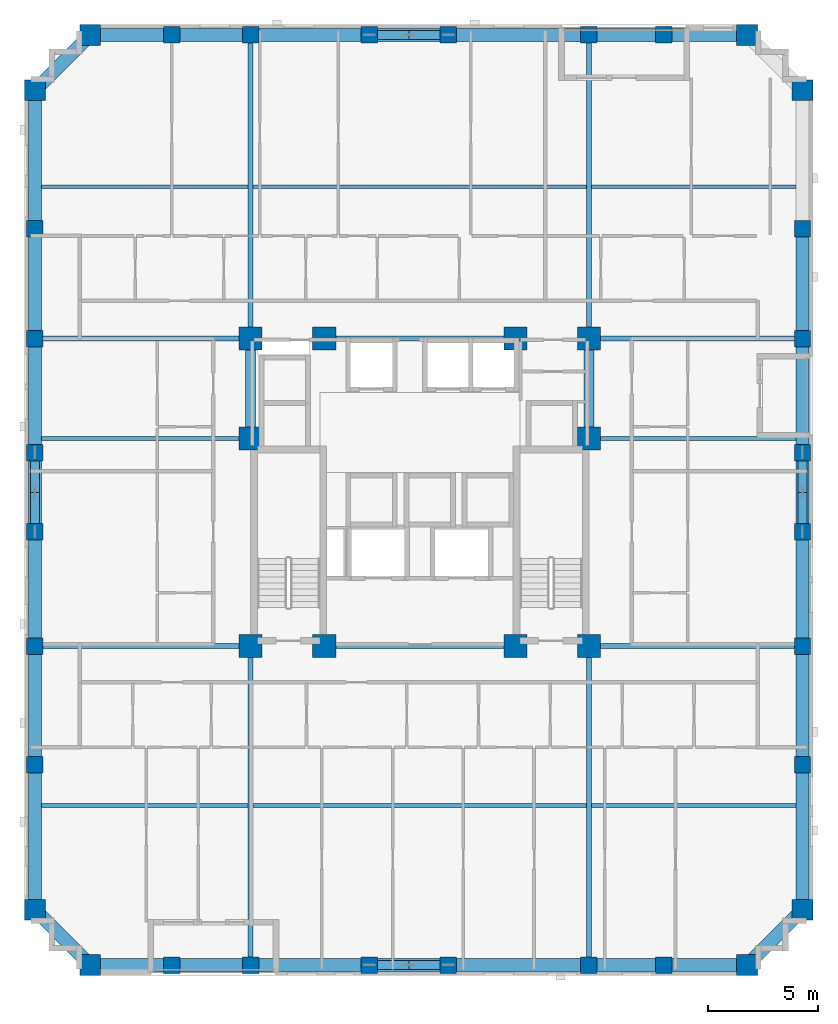
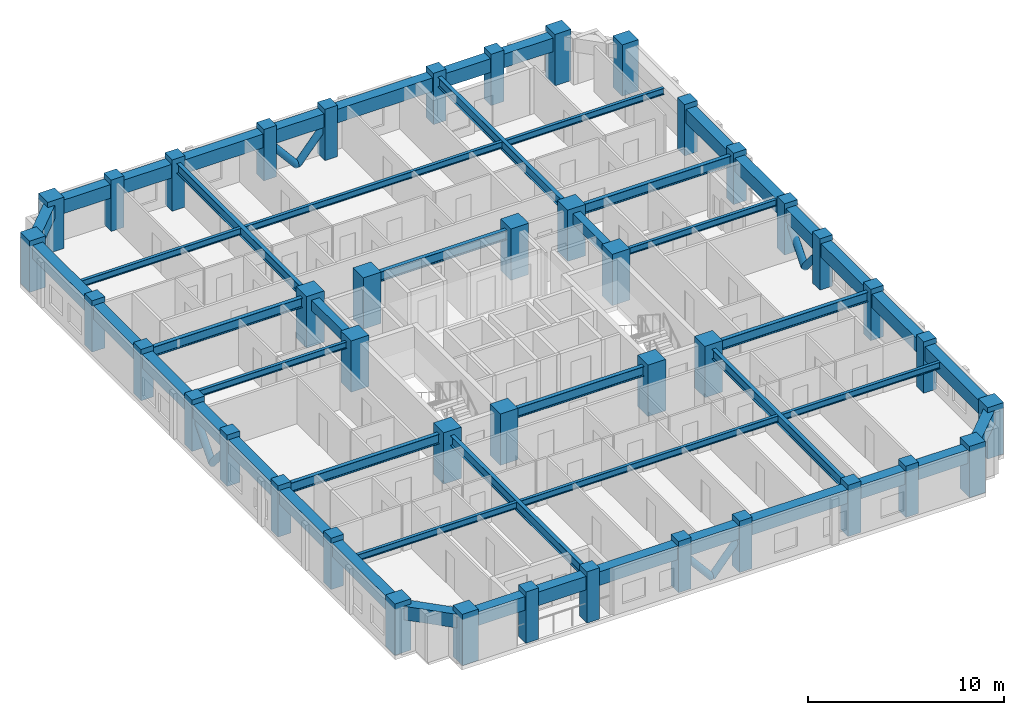
# One storey, part 1 of 12: 50 beams, 42 columns, 8 members.
"""IFC4 building model written with IfcOpenShell, lengths in metres."""

from ifc_helpers import new_model, si_unit, derived_unit, direction, frame, origin, origin_2d, place, context, subcontext, project, spatial, rectangle, hollow_circle, i_section, extrude, material, material_profile, profile_set, type_object, element, save


model = new_model("IFC4")

# Units and contexts
model_context = context("Model", 3, precision=1e-05, world=origin(), true_north=direction((0.0, 1.0)))
body_context = subcontext(model_context, "Body", "Model", "MODEL_VIEW")
ifc_project = project(units=[si_unit("LENGTHUNIT", "METRE"), si_unit("AREAUNIT", "SQUARE_METRE"), si_unit("VOLUMEUNIT", "CUBIC_METRE"), si_unit("PLANEANGLEUNIT", "RADIAN"), si_unit("MASSUNIT", "GRAM", prefix="KILO"), derived_unit("THERMALTRANSMITTANCEUNIT", [(si_unit("MASSUNIT", "GRAM", prefix="KILO"), 1), (si_unit("TIMEUNIT", "SECOND"), -3), (si_unit("THERMODYNAMICTEMPERATUREUNIT", "KELVIN"), -1)])], contexts=[model_context])

# Site, building, storey
site_placement = place(None, origin())
site = spatial("IfcSite", under=ifc_project, at=site_placement, CompositionType="ELEMENT")
building_placement = place(site_placement, origin())
building = spatial("IfcBuilding", under=site, at=building_placement, Name="Korrvale Station Residences", CompositionType="ELEMENT")
storey_placement = place(building_placement, frame((0.0, 0.0, 116.699951171875)))
storey = spatial("IfcBuildingStorey", under=building, at=storey_placement, Name="L33", CompositionType="ELEMENT", Elevation=116.699951171875)

# Columns
ifc_material_1 = material(Name="Concrete C60/75", Category="concrete")
ifc_material_profile_1 = material_profile(ifc_material_1, rectangle(XDim=1.050048828125, YDim=1.050048828125, at=origin_2d()), Name="RC1050x1050")
ifc_profile_set_1 = profile_set([ifc_material_profile_1], Name="Concrete C60/75")
column_type_1 = type_object("IfcColumnType", Name="COL-C-RC1050x1050-C6075", PredefinedType="COLUMN", material=ifc_profile_set_1)
for number, where, z_axis, x_axis, name in (
    (1, (17.800048828125, 15.0, 0.0), (0.0, 0.0, 1.0), (1.0, 0.0, 0.0), "L33 Core Column 01"),
    (2, (21.14990234375, 15.0, 0.0), (0.0, 0.0, 1.0), (1.0, 0.0, 0.0), "L33 Core Column 02"),
    (3, (29.85009765625, 15.0, 0.0), (0.0, 0.0, 1.0), (1.0, 0.0, 0.0), "L33 Core Column 03"),
    (4, (33.199951171875, 15.0, 0.0), (0.0, 0.0, 1.0), (1.0, 0.0, 0.0), "L33 Core Column 04"),
    (5, (17.800048828125, 29.0, 0.0), (0.0, 0.0, 1.0), (1.0, 0.0, 0.0), "L33 Core Column 05"),
    (6, (21.14990234375, 29.0, 0.0), (0.0, 0.0, 1.0), (1.0, 0.0, 0.0), "L33 Core Column 06"),
    (7, (29.85009765625, 29.0, 0.0), (0.0, 0.0, 1.0), (1.0, 0.0, 0.0), "L33 Core Column 07"),
    (8, (33.199951171875, 29.0, 0.0), (0.0, 0.0, 1.0), (1.0, 0.0, 0.0), "L33 Core Column 08"),
    (9, (17.800048828125, 24.449951171875, 0.0), (0.0, 0.0, 1.0), (1.0, 0.0, 0.0), "L33 Core Column 09"),
    (10, (33.199951171875, 24.449951171875, 0.0), (0.0, 0.0, 1.0), (1.0, 0.0, 0.0), "L33 Core Column 10"),
):
    element("IfcColumn", number, at=place(storey_placement, frame(where, z_axis=z_axis, x_axis=x_axis)), inside=storey, type_object=column_type_1, Name=name, PredefinedType="COLUMN", context=body_context, shape_type="SweptSolid", body=[
        extrude(rectangle(XDim=1.050048828125, YDim=1.050048828125, at=origin_2d()), origin(), (0.0, 0.0, 1.0), 3.199951171875),
    ])
ifc_material_profile_2 = material_profile(ifc_material_1, rectangle(XDim=0.75, YDim=0.75, at=origin_2d()), Name="RC750x750")
ifc_profile_set_2 = profile_set([ifc_material_profile_2], Name="Concrete C60/75")
column_type_2 = type_object("IfcColumnType", Name="COL-C-RC750x750-C6075", PredefinedType="COLUMN", material=ifc_profile_set_2)
for number, where, z_axis, x_axis, name in (
    (11, (14.199951171875, 0.47998046875, 0.0), (0.0, 0.0, 1.0), (1.0, 0.0, 0.0), "L33 Bundled-Tube South Column 02"),
    (12, (17.800048828125, 0.47998046875, 0.0), (0.0, 0.0, 1.0), (1.0, 0.0, 0.0), "L33 Bundled-Tube South Column 03"),
    (13, (23.199951171875, 0.47998046875, 0.0), (0.0, 0.0, 1.0), (1.0, 0.0, 0.0), "L33 Bundled-Tube South Column 04"),
    (14, (26.800048828125, 0.47998046875, 0.0), (0.0, 0.0, 1.0), (1.0, 0.0, 0.0), "L33 Bundled-Tube South Column 05"),
    (15, (33.199951171875, 0.47998046875, 0.0), (0.0, 0.0, 1.0), (1.0, 0.0, 0.0), "L33 Bundled-Tube South Column 06"),
    (16, (36.60009765625, 0.47998046875, 0.0), (0.0, 0.0, 1.0), (1.0, 0.0, 0.0), "L33 Bundled-Tube South Column 07"),
    (17, (14.199951171875, 42.820068359375, 0.0), (0.0, 0.0, 1.0), (1.0, 0.0, 0.0), "L33 Bundled-Tube North Column 10"),
    (18, (17.800048828125, 42.820068359375, 0.0), (0.0, 0.0, 1.0), (1.0, 0.0, 0.0), "L33 Bundled-Tube North Column 11"),
    (19, (23.199951171875, 42.820068359375, 0.0), (0.0, 0.0, 1.0), (1.0, 0.0, 0.0), "L33 Bundled-Tube North Column 12"),
    (20, (26.800048828125, 42.820068359375, 0.0), (0.0, 0.0, 1.0), (1.0, 0.0, 0.0), "L33 Bundled-Tube North Column 13"),
    (21, (33.199951171875, 42.820068359375, 0.0), (0.0, 0.0, 1.0), (1.0, 0.0, 0.0), "L33 Bundled-Tube North Column 14"),
    (22, (36.60009765625, 42.820068359375, 0.0), (0.0, 0.0, 1.0), (1.0, 0.0, 0.0), "L33 Bundled-Tube North Column 15"),
    (23, (7.97998046875, 9.60009765625, 0.0), (0.0, 0.0, 1.0), (1.0, 0.0, 0.0), "L33 Bundled-Tube West Column 18"),
    (24, (7.97998046875, 15.0, 0.0), (0.0, 0.0, 1.0), (1.0, 0.0, 0.0), "L33 Bundled-Tube West Column 19"),
    (25, (7.97998046875, 20.199951171875, 0.0), (0.0, 0.0, 1.0), (1.0, 0.0, 0.0), "L33 Bundled-Tube West Column 20"),
    (26, (7.97998046875, 23.800048828125, 0.0), (0.0, 0.0, 1.0), (1.0, 0.0, 0.0), "L33 Bundled-Tube West Column 21"),
    (27, (7.97998046875, 29.0, 0.0), (0.0, 0.0, 1.0), (1.0, 0.0, 0.0), "L33 Bundled-Tube West Column 22"),
    (28, (7.97998046875, 34.0, 0.0), (0.0, 0.0, 1.0), (1.0, 0.0, 0.0), "L33 Bundled-Tube West Column 23"),
    (29, (42.919921875, 9.60009765625, 0.0), (0.0, 0.0, 1.0), (1.0, 0.0, 0.0), "L33 Bundled-Tube East Column 26"),
    (30, (42.919921875, 15.0, 0.0), (0.0, 0.0, 1.0), (1.0, 0.0, 0.0), "L33 Bundled-Tube East Column 27"),
    (31, (42.919921875, 20.199951171875, 0.0), (0.0, 0.0, 1.0), (1.0, 0.0, 0.0), "L33 Bundled-Tube East Column 28"),
    (32, (42.919921875, 23.800048828125, 0.0), (0.0, 0.0, 1.0), (1.0, 0.0, 0.0), "L33 Bundled-Tube East Column 29"),
    (33, (42.919921875, 29.0, 0.0), (0.0, 0.0, 1.0), (1.0, 0.0, 0.0), "L33 Bundled-Tube East Column 30"),
    (34, (42.919921875, 34.0, 0.0), (0.0, 0.0, 1.0), (1.0, 0.0, 0.0), "L33 Bundled-Tube East Column 31"),
):
    element("IfcColumn", number, at=place(storey_placement, frame(where, z_axis=z_axis, x_axis=x_axis)), inside=storey, type_object=column_type_2, Name=name, PredefinedType="COLUMN", context=body_context, shape_type="SweptSolid", body=[
        extrude(rectangle(XDim=0.75, YDim=0.75, at=origin_2d()), origin(), (0.0, 0.0, 1.0), 3.199951171875),
    ])
ifc_material_profile_3 = material_profile(ifc_material_1, rectangle(XDim=0.949951171875, YDim=0.949951171875, at=origin_2d()), Name="RC950x950")
ifc_profile_set_3 = profile_set([ifc_material_profile_3], Name="Concrete C60/75")
column_type_3 = type_object("IfcColumnType", Name="COL-C-RC950x950-C6075", PredefinedType="COLUMN", material=ifc_profile_set_3)
for number, where, z_axis, x_axis, name in (
    (35, (10.5, 0.47998046875, 0.0), (0.0, 0.0, 1.0), (1.0, 0.0, 0.0), "L33 Bundled-Tube South Column 01"),
    (36, (40.39990234375, 0.47998046875, 0.0), (0.0, 0.0, 1.0), (1.0, 0.0, 0.0), "L33 Bundled-Tube South Column 08"),
    (37, (10.5, 42.820068359375, 0.0), (0.0, 0.0, 1.0), (1.0, 0.0, 0.0), "L33 Bundled-Tube North Column 09"),
    (38, (40.39990234375, 42.820068359375, 0.0), (0.0, 0.0, 1.0), (1.0, 0.0, 0.0), "L33 Bundled-Tube North Column 16"),
    (39, (7.97998046875, 3.0, 0.0), (0.0, 0.0, 1.0), (1.0, 0.0, 0.0), "L33 Bundled-Tube West Column 17"),
    (40, (7.97998046875, 40.300048828125, 0.0), (0.0, 0.0, 1.0), (1.0, 0.0, 0.0), "L33 Bundled-Tube West Column 24"),
    (41, (42.919921875, 3.0, 0.0), (0.0, 0.0, 1.0), (1.0, 0.0, 0.0), "L33 Bundled-Tube East Column 25"),
    (42, (42.919921875, 40.300048828125, 0.0), (0.0, 0.0, 1.0), (1.0, 0.0, 0.0), "L33 Bundled-Tube East Column 32"),
):
    element("IfcColumn", number, at=place(storey_placement, frame(where, z_axis=z_axis, x_axis=x_axis)), inside=storey, type_object=column_type_3, Name=name, PredefinedType="COLUMN", context=body_context, shape_type="SweptSolid", body=[
        extrude(rectangle(XDim=0.949951171875, YDim=0.949951171875, at=origin_2d()), origin(), (0.0, 0.0, 1.0), 3.199951171875),
    ])

# Beams
ifc_material_2 = material(Name="Steel S355", Category="steel")
ifc_material_profile_4 = material_profile(ifc_material_2, i_section(OverallWidth=0.22900390625, OverallDepth=0.612060546875, WebThickness=0.011962890625, FlangeThickness=0.01953125, FilletRadius=0.01904296875, at=origin_2d()), Name="W610x125")
ifc_profile_set_4 = profile_set([ifc_material_profile_4], Name="Steel S355")
beam_type_1 = type_object("IfcBeamType", Name="BM-BM-W610x125-S355", PredefinedType="BEAM", material=ifc_profile_set_4)
for number, where, z_axis, x_axis, name in (
    (43, (17.800048828125, 0.47998046875, 2.573974609375), (0.0, 1.0, 0.0), (-1.0, 0.0, 0.0), "L33 Bundled-Tube Web Girder 01"),
    (44, (33.199951171875, 0.47998046875, 2.573974609375), (0.0, 1.0, 0.0), (-1.0, 0.0, 0.0), "L33 Bundled-Tube Web Girder 02"),
):
    element("IfcBeam", number, at=place(storey_placement, frame(where, z_axis=z_axis, x_axis=x_axis)), inside=storey, type_object=beam_type_1, Name=name, PredefinedType="BEAM", context=body_context, shape_type="SweptSolid", body=[
        extrude(i_section(OverallWidth=0.22900390625, OverallDepth=0.612060546875, WebThickness=0.011962890625, FlangeThickness=0.01953125, FilletRadius=0.01904296875, at=origin_2d()), origin(), (0.0, 0.0, 1.0), 14.52001953125),
    ])
for number, where, z_axis, x_axis, name in (
    (45, (17.800048828125, 29.0, 2.573974609375), (0.0, 1.0, 0.0), (-1.0, 0.0, 0.0), "L33 Bundled-Tube Web Girder 03"),
    (46, (33.199951171875, 29.0, 2.573974609375), (0.0, 1.0, 0.0), (-1.0, 0.0, 0.0), "L33 Bundled-Tube Web Girder 04"),
):
    element("IfcBeam", number, at=place(storey_placement, frame(where, z_axis=z_axis, x_axis=x_axis)), inside=storey, type_object=beam_type_1, Name=name, PredefinedType="BEAM", context=body_context, shape_type="SweptSolid", body=[
        extrude(i_section(OverallWidth=0.22900390625, OverallDepth=0.612060546875, WebThickness=0.011962890625, FlangeThickness=0.01953125, FilletRadius=0.01904296875, at=origin_2d()), origin(), (0.0, 0.0, 1.0), 13.820068359375),
    ])
beam_1_placement = place(storey_placement, frame((7.97998046875, 15.0, 2.573974609375), z_axis=(1.0, 0.0, 0.0), x_axis=(0.0, 1.0, 0.0)))
element("IfcBeam", 47, at=beam_1_placement, inside=storey, type_object=beam_type_1, Name="L33 Bundled-Tube Web Girder 05", PredefinedType="BEAM", context=body_context, shape_type="SweptSolid", body=[
    extrude(i_section(OverallWidth=0.22900390625, OverallDepth=0.612060546875, WebThickness=0.011962890625, FlangeThickness=0.01953125, FilletRadius=0.01904296875, at=origin_2d()), origin(), (0.0, 0.0, 1.0), 9.820068359375),
])
beam_2_placement = place(storey_placement, frame((33.199951171875, 15.0, 2.573974609375), z_axis=(1.0, 0.0, 0.0), x_axis=(0.0, 1.0, 0.0)))
element("IfcBeam", 48, at=beam_2_placement, inside=storey, type_object=beam_type_1, Name="L33 Bundled-Tube Web Girder 06", PredefinedType="BEAM", context=body_context, shape_type="SweptSolid", body=[
    extrude(i_section(OverallWidth=0.22900390625, OverallDepth=0.612060546875, WebThickness=0.011962890625, FlangeThickness=0.01953125, FilletRadius=0.01904296875, at=origin_2d()), origin(), (0.0, 0.0, 1.0), 9.719970703125),
])
beam_3_placement = place(storey_placement, frame((7.97998046875, 29.0, 2.573974609375), z_axis=(1.0, 0.0, 0.0), x_axis=(0.0, 1.0, 0.0)))
element("IfcBeam", 49, at=beam_3_placement, inside=storey, type_object=beam_type_1, Name="L33 Bundled-Tube Web Girder 07", PredefinedType="BEAM", context=body_context, shape_type="SweptSolid", body=[
    extrude(i_section(OverallWidth=0.22900390625, OverallDepth=0.612060546875, WebThickness=0.011962890625, FlangeThickness=0.01953125, FilletRadius=0.01904296875, at=origin_2d()), origin(), (0.0, 0.0, 1.0), 9.820068359375),
])
beam_4_placement = place(storey_placement, frame((33.199951171875, 29.0, 2.573974609375), z_axis=(1.0, 0.0, 0.0), x_axis=(0.0, 1.0, 0.0)))
element("IfcBeam", 50, at=beam_4_placement, inside=storey, type_object=beam_type_1, Name="L33 Bundled-Tube Web Girder 08", PredefinedType="BEAM", context=body_context, shape_type="SweptSolid", body=[
    extrude(i_section(OverallWidth=0.22900390625, OverallDepth=0.612060546875, WebThickness=0.011962890625, FlangeThickness=0.01953125, FilletRadius=0.01904296875, at=origin_2d()), origin(), (0.0, 0.0, 1.0), 9.719970703125),
])
for number, where, z_axis, x_axis, name in (
    (51, (21.14990234375, 15.0, 2.573974609375), (1.0, 0.0, 0.0), (0.0, 1.0, 0.0), "L33 Bundled-Tube Web Girder 09"),
    (52, (21.14990234375, 29.0, 2.573974609375), (1.0, 0.0, 0.0), (0.0, 1.0, 0.0), "L33 Bundled-Tube Web Girder 10"),
):
    element("IfcBeam", number, at=place(storey_placement, frame(where, z_axis=z_axis, x_axis=x_axis)), inside=storey, type_object=beam_type_1, Name=name, PredefinedType="BEAM", context=body_context, shape_type="SweptSolid", body=[
        extrude(i_section(OverallWidth=0.22900390625, OverallDepth=0.612060546875, WebThickness=0.011962890625, FlangeThickness=0.01953125, FilletRadius=0.01904296875, at=origin_2d()), origin(), (0.0, 0.0, 1.0), 8.7001953125),
    ])
ifc_material_profile_5 = material_profile(ifc_material_2, i_section(OverallWidth=0.177978515625, OverallDepth=0.406982421875, WebThickness=0.0078125, FlangeThickness=0.0126953125, FilletRadius=0.01611328125, at=origin_2d()), Name="W410x60")
ifc_profile_set_5 = profile_set([ifc_material_profile_5], Name="Steel S355")
beam_type_2 = type_object("IfcBeamType", Name="BM-JST-W410x60-S355", PredefinedType="JOIST", material=ifc_profile_set_5)
beam_5_placement = place(storey_placement, frame((8.280029296875, 7.739990234375, 2.676513671875), z_axis=(1.0, 0.0, 0.0), x_axis=(0.0, 1.0, 0.0)))
element("IfcBeam", 53, at=beam_5_placement, inside=storey, type_object=beam_type_2, Name="L33 Floor Framing Joist 01", PredefinedType="JOIST", context=body_context, shape_type="SweptSolid", body=[
    extrude(i_section(OverallWidth=0.177978515625, OverallDepth=0.406982421875, WebThickness=0.0078125, FlangeThickness=0.0126953125, FilletRadius=0.01611328125, at=origin_2d()), origin(), (0.0, 0.0, 1.0), 9.405517578125),
])
beam_6_placement = place(storey_placement, frame((17.91455078125, 7.739990234375, 2.676513671875), z_axis=(1.0, 0.0, 0.0), x_axis=(0.0, 1.0, 0.0)))
element("IfcBeam", 54, at=beam_6_placement, inside=storey, type_object=beam_type_2, Name="L33 Floor Framing Joist 02", PredefinedType="JOIST", context=body_context, shape_type="SweptSolid", body=[
    extrude(i_section(OverallWidth=0.177978515625, OverallDepth=0.406982421875, WebThickness=0.0078125, FlangeThickness=0.0126953125, FilletRadius=0.01611328125, at=origin_2d()), origin(), (0.0, 0.0, 1.0), 15.1708984375),
])
beam_7_placement = place(storey_placement, frame((33.314453125, 7.739990234375, 2.676513671875), z_axis=(1.0, 0.0, 0.0), x_axis=(0.0, 1.0, 0.0)))
element("IfcBeam", 55, at=beam_7_placement, inside=storey, type_object=beam_type_2, Name="L33 Floor Framing Joist 03", PredefinedType="JOIST", context=body_context, shape_type="SweptSolid", body=[
    extrude(i_section(OverallWidth=0.177978515625, OverallDepth=0.406982421875, WebThickness=0.0078125, FlangeThickness=0.0126953125, FilletRadius=0.01611328125, at=origin_2d()), origin(), (0.0, 0.0, 1.0), 9.3056640625),
])
beam_8_placement = place(storey_placement, frame((8.280029296875, 35.909912109375, 2.676513671875), z_axis=(1.0, 0.0, 0.0), x_axis=(0.0, 1.0, 0.0)))
element("IfcBeam", 56, at=beam_8_placement, inside=storey, type_object=beam_type_2, Name="L33 Floor Framing Joist 04", PredefinedType="JOIST", context=body_context, shape_type="SweptSolid", body=[
    extrude(i_section(OverallWidth=0.177978515625, OverallDepth=0.406982421875, WebThickness=0.0078125, FlangeThickness=0.0126953125, FilletRadius=0.01611328125, at=origin_2d()), origin(), (0.0, 0.0, 1.0), 9.405517578125),
])
beam_9_placement = place(storey_placement, frame((17.91455078125, 35.909912109375, 2.676513671875), z_axis=(1.0, 0.0, 0.0), x_axis=(0.0, 1.0, 0.0)))
element("IfcBeam", 57, at=beam_9_placement, inside=storey, type_object=beam_type_2, Name="L33 Floor Framing Joist 05", PredefinedType="JOIST", context=body_context, shape_type="SweptSolid", body=[
    extrude(i_section(OverallWidth=0.177978515625, OverallDepth=0.406982421875, WebThickness=0.0078125, FlangeThickness=0.0126953125, FilletRadius=0.01611328125, at=origin_2d()), origin(), (0.0, 0.0, 1.0), 15.1708984375),
])
beam_10_placement = place(storey_placement, frame((33.314453125, 35.909912109375, 2.676513671875), z_axis=(1.0, 0.0, 0.0), x_axis=(0.0, 1.0, 0.0)))
element("IfcBeam", 58, at=beam_10_placement, inside=storey, type_object=beam_type_2, Name="L33 Floor Framing Joist 06", PredefinedType="JOIST", context=body_context, shape_type="SweptSolid", body=[
    extrude(i_section(OverallWidth=0.177978515625, OverallDepth=0.406982421875, WebThickness=0.0078125, FlangeThickness=0.0126953125, FilletRadius=0.01611328125, at=origin_2d()), origin(), (0.0, 0.0, 1.0), 9.3056640625),
])
beam_11_placement = place(storey_placement, frame((33.425048828125, 24.449951171875, 2.676513671875), z_axis=(1.0, 0.0, 0.0), x_axis=(0.0, 1.0, 0.0)))
element("IfcBeam", 59, at=beam_11_placement, inside=storey, type_object=beam_type_2, Name="L33 Floor Framing Joist 07", PredefinedType="JOIST", context=body_context, shape_type="SweptSolid", body=[
    extrude(i_section(OverallWidth=0.177978515625, OverallDepth=0.406982421875, WebThickness=0.0078125, FlangeThickness=0.0126953125, FilletRadius=0.01611328125, at=origin_2d()), origin(), (0.0, 0.0, 1.0), 9.195068359375),
])
beam_12_placement = place(storey_placement, frame((8.280029296875, 24.449951171875, 2.676513671875), z_axis=(1.0, 0.0, 0.0), x_axis=(0.0, 1.0, 0.0)))
element("IfcBeam", 60, at=beam_12_placement, inside=storey, type_object=beam_type_2, Name="L33 Floor Framing Joist 08", PredefinedType="JOIST", context=body_context, shape_type="SweptSolid", body=[
    extrude(i_section(OverallWidth=0.177978515625, OverallDepth=0.406982421875, WebThickness=0.0078125, FlangeThickness=0.0126953125, FilletRadius=0.01611328125, at=origin_2d()), origin(), (0.0, 0.0, 1.0), 9.294921875),
])
ifc_material_profile_6 = material_profile(ifc_material_1, rectangle(XDim=0.449951171875, YDim=0.64990234375, at=origin_2d()), Name="RCB450x650")
ifc_profile_set_6 = profile_set([ifc_material_profile_6], Name="Concrete C60/75")
beam_type_3 = type_object("IfcBeamType", Name="BM-LNT-RCB450x650-C6075", PredefinedType="LINTEL", material=ifc_profile_set_6)
for number, where, z_axis, x_axis, name in (
    (61, (17.800048828125, 24.449951171875, 2.554931640625), (0.0, 1.0, 0.0), (-1.0, 0.0, 0.0), "L33 Core Coupling Lintel 1"),
    (62, (33.199951171875, 24.449951171875, 2.554931640625), (0.0, 1.0, 0.0), (-1.0, 0.0, 0.0), "L33 Core Coupling Lintel 2"),
):
    element("IfcBeam", number, at=place(storey_placement, frame(where, z_axis=z_axis, x_axis=x_axis)), inside=storey, type_object=beam_type_3, Name=name, PredefinedType="LINTEL", context=body_context, shape_type="SweptSolid", body=[
        extrude(rectangle(XDim=0.449951171875, YDim=0.64990234375, at=origin_2d()), origin(), (0.0, 0.0, 1.0), 4.550048828125),
    ])
ifc_material_profile_7 = material_profile(ifc_material_1, rectangle(XDim=0.60009765625, YDim=0.85009765625, at=origin_2d()), Name="RCB600x850")
ifc_profile_set_7 = profile_set([ifc_material_profile_7], Name="Concrete C60/75")
beam_type_4 = type_object("IfcBeamType", Name="BM-SPB-RCB600x850-C6075", PredefinedType="SPANDREL", material=ifc_profile_set_7)
beam_13_placement = place(storey_placement, frame((10.5, 0.47998046875, 2.455078125), z_axis=(1.0, 0.0, 0.0), x_axis=(0.0, 1.0, 0.0)))
element("IfcBeam", 63, at=beam_13_placement, inside=storey, type_object=beam_type_4, Name="L33 South Tube Spandrel 01", PredefinedType="SPANDREL", context=body_context, shape_type="SweptSolid", body=[
    extrude(rectangle(XDim=0.60009765625, YDim=0.85009765625, at=origin_2d()), origin(), (0.0, 0.0, 1.0), 3.699951171875),
])
beam_14_placement = place(storey_placement, frame((14.199951171875, 0.47998046875, 2.455078125), z_axis=(1.0, 0.0, 0.0), x_axis=(0.0, 1.0, 0.0)))
element("IfcBeam", 64, at=beam_14_placement, inside=storey, type_object=beam_type_4, Name="L33 South Tube Spandrel 02", PredefinedType="SPANDREL", context=body_context, shape_type="SweptSolid", body=[
    extrude(rectangle(XDim=0.60009765625, YDim=0.85009765625, at=origin_2d()), origin(), (0.0, 0.0, 1.0), 3.60009765625),
])
beam_15_placement = place(storey_placement, frame((17.800048828125, 0.47998046875, 2.455078125), z_axis=(1.0, 0.0, 0.0), x_axis=(0.0, 1.0, 0.0)))
element("IfcBeam", 65, at=beam_15_placement, inside=storey, type_object=beam_type_4, Name="L33 South Tube Spandrel 03", PredefinedType="SPANDREL", context=body_context, shape_type="SweptSolid", body=[
    extrude(rectangle(XDim=0.60009765625, YDim=0.85009765625, at=origin_2d()), origin(), (0.0, 0.0, 1.0), 5.39990234375),
])
beam_16_placement = place(storey_placement, frame((23.199951171875, 0.47998046875, 2.455078125), z_axis=(1.0, 0.0, 0.0), x_axis=(0.0, 1.0, 0.0)))
element("IfcBeam", 66, at=beam_16_placement, inside=storey, type_object=beam_type_4, Name="L33 South Tube Spandrel 04", PredefinedType="SPANDREL", context=body_context, shape_type="SweptSolid", body=[
    extrude(rectangle(XDim=0.60009765625, YDim=0.85009765625, at=origin_2d()), origin(), (0.0, 0.0, 1.0), 3.60009765625),
])
beam_17_placement = place(storey_placement, frame((26.800048828125, 0.47998046875, 2.455078125), z_axis=(1.0, 0.0, 0.0), x_axis=(0.0, 1.0, 0.0)))
element("IfcBeam", 67, at=beam_17_placement, inside=storey, type_object=beam_type_4, Name="L33 South Tube Spandrel 05", PredefinedType="SPANDREL", context=body_context, shape_type="SweptSolid", body=[
    extrude(rectangle(XDim=0.60009765625, YDim=0.85009765625, at=origin_2d()), origin(), (0.0, 0.0, 1.0), 6.39990234375),
])
beam_18_placement = place(storey_placement, frame((33.199951171875, 0.47998046875, 2.455078125), z_axis=(1.0, 0.0, 0.0), x_axis=(0.0, 1.0, 0.0)))
element("IfcBeam", 68, at=beam_18_placement, inside=storey, type_object=beam_type_4, Name="L33 South Tube Spandrel 06", PredefinedType="SPANDREL", context=body_context, shape_type="SweptSolid", body=[
    extrude(rectangle(XDim=0.60009765625, YDim=0.85009765625, at=origin_2d()), origin(), (0.0, 0.0, 1.0), 3.400146484375),
])
beam_19_placement = place(storey_placement, frame((36.60009765625, 0.47998046875, 2.455078125), z_axis=(1.0, 0.0, 0.0), x_axis=(0.0, 1.0, 0.0)))
element("IfcBeam", 69, at=beam_19_placement, inside=storey, type_object=beam_type_4, Name="L33 South Tube Spandrel 07", PredefinedType="SPANDREL", context=body_context, shape_type="SweptSolid", body=[
    extrude(rectangle(XDim=0.60009765625, YDim=0.85009765625, at=origin_2d()), origin(), (0.0, 0.0, 1.0), 3.7998046875),
])
beam_20_placement = place(storey_placement, frame((10.5, 42.820068359375, 2.455078125), z_axis=(1.0, 0.0, 0.0), x_axis=(0.0, 1.0, 0.0)))
element("IfcBeam", 70, at=beam_20_placement, inside=storey, type_object=beam_type_4, Name="L33 North Tube Spandrel 08", PredefinedType="SPANDREL", context=body_context, shape_type="SweptSolid", body=[
    extrude(rectangle(XDim=0.60009765625, YDim=0.85009765625, at=origin_2d()), origin(), (0.0, 0.0, 1.0), 3.699951171875),
])
beam_21_placement = place(storey_placement, frame((14.199951171875, 42.820068359375, 2.455078125), z_axis=(1.0, 0.0, 0.0), x_axis=(0.0, 1.0, 0.0)))
element("IfcBeam", 71, at=beam_21_placement, inside=storey, type_object=beam_type_4, Name="L33 North Tube Spandrel 09", PredefinedType="SPANDREL", context=body_context, shape_type="SweptSolid", body=[
    extrude(rectangle(XDim=0.60009765625, YDim=0.85009765625, at=origin_2d()), origin(), (0.0, 0.0, 1.0), 3.60009765625),
])
beam_22_placement = place(storey_placement, frame((17.800048828125, 42.820068359375, 2.455078125), z_axis=(1.0, 0.0, 0.0), x_axis=(0.0, 1.0, 0.0)))
element("IfcBeam", 72, at=beam_22_placement, inside=storey, type_object=beam_type_4, Name="L33 North Tube Spandrel 10", PredefinedType="SPANDREL", context=body_context, shape_type="SweptSolid", body=[
    extrude(rectangle(XDim=0.60009765625, YDim=0.85009765625, at=origin_2d()), origin(), (0.0, 0.0, 1.0), 5.39990234375),
])
beam_23_placement = place(storey_placement, frame((23.199951171875, 42.820068359375, 2.455078125), z_axis=(1.0, 0.0, 0.0), x_axis=(0.0, 1.0, 0.0)))
element("IfcBeam", 73, at=beam_23_placement, inside=storey, type_object=beam_type_4, Name="L33 North Tube Spandrel 11", PredefinedType="SPANDREL", context=body_context, shape_type="SweptSolid", body=[
    extrude(rectangle(XDim=0.60009765625, YDim=0.85009765625, at=origin_2d()), origin(), (0.0, 0.0, 1.0), 3.60009765625),
])
beam_24_placement = place(storey_placement, frame((26.800048828125, 42.820068359375, 2.455078125), z_axis=(1.0, 0.0, 0.0), x_axis=(0.0, 1.0, 0.0)))
element("IfcBeam", 74, at=beam_24_placement, inside=storey, type_object=beam_type_4, Name="L33 North Tube Spandrel 12", PredefinedType="SPANDREL", context=body_context, shape_type="SweptSolid", body=[
    extrude(rectangle(XDim=0.60009765625, YDim=0.85009765625, at=origin_2d()), origin(), (0.0, 0.0, 1.0), 6.39990234375),
])
beam_25_placement = place(storey_placement, frame((33.199951171875, 42.820068359375, 2.455078125), z_axis=(1.0, 0.0, 0.0), x_axis=(0.0, 1.0, 0.0)))
element("IfcBeam", 75, at=beam_25_placement, inside=storey, type_object=beam_type_4, Name="L33 North Tube Spandrel 13", PredefinedType="SPANDREL", context=body_context, shape_type="SweptSolid", body=[
    extrude(rectangle(XDim=0.60009765625, YDim=0.85009765625, at=origin_2d()), origin(), (0.0, 0.0, 1.0), 3.400146484375),
])
beam_26_placement = place(storey_placement, frame((36.60009765625, 42.820068359375, 2.455078125), z_axis=(1.0, 0.0, 0.0), x_axis=(0.0, 1.0, 0.0)))
element("IfcBeam", 76, at=beam_26_placement, inside=storey, type_object=beam_type_4, Name="L33 North Tube Spandrel 14", PredefinedType="SPANDREL", context=body_context, shape_type="SweptSolid", body=[
    extrude(rectangle(XDim=0.60009765625, YDim=0.85009765625, at=origin_2d()), origin(), (0.0, 0.0, 1.0), 3.7998046875),
])
beam_27_placement = place(storey_placement, frame((7.97998046875, 3.0, 2.455078125), z_axis=(0.0, 1.0, 0.0), x_axis=(-1.0, 0.0, 0.0)))
element("IfcBeam", 77, at=beam_27_placement, inside=storey, type_object=beam_type_4, Name="L33 West Tube Spandrel 15", PredefinedType="SPANDREL", context=body_context, shape_type="SweptSolid", body=[
    extrude(rectangle(XDim=0.60009765625, YDim=0.85009765625, at=origin_2d()), origin(), (0.0, 0.0, 1.0), 6.60009765625),
])
beam_28_placement = place(storey_placement, frame((7.97998046875, 9.60009765625, 2.455078125), z_axis=(0.0, 1.0, 0.0), x_axis=(-1.0, 0.0, 0.0)))
element("IfcBeam", 78, at=beam_28_placement, inside=storey, type_object=beam_type_4, Name="L33 West Tube Spandrel 16", PredefinedType="SPANDREL", context=body_context, shape_type="SweptSolid", body=[
    extrude(rectangle(XDim=0.60009765625, YDim=0.85009765625, at=origin_2d()), origin(), (0.0, 0.0, 1.0), 5.39990234375),
])
beam_29_placement = place(storey_placement, frame((7.97998046875, 15.0, 2.455078125), z_axis=(0.0, 1.0, 0.0), x_axis=(-1.0, 0.0, 0.0)))
element("IfcBeam", 79, at=beam_29_placement, inside=storey, type_object=beam_type_4, Name="L33 West Tube Spandrel 17", PredefinedType="SPANDREL", context=body_context, shape_type="SweptSolid", body=[
    extrude(rectangle(XDim=0.60009765625, YDim=0.85009765625, at=origin_2d()), origin(), (0.0, 0.0, 1.0), 5.199951171875),
])
beam_30_placement = place(storey_placement, frame((7.97998046875, 20.199951171875, 2.455078125), z_axis=(0.0, 1.0, 0.0), x_axis=(-1.0, 0.0, 0.0)))
element("IfcBeam", 80, at=beam_30_placement, inside=storey, type_object=beam_type_4, Name="L33 West Tube Spandrel 18", PredefinedType="SPANDREL", context=body_context, shape_type="SweptSolid", body=[
    extrude(rectangle(XDim=0.60009765625, YDim=0.85009765625, at=origin_2d()), origin(), (0.0, 0.0, 1.0), 3.60009765625),
])
beam_31_placement = place(storey_placement, frame((7.97998046875, 23.800048828125, 2.455078125), z_axis=(0.0, 1.0, 0.0), x_axis=(-1.0, 0.0, 0.0)))
element("IfcBeam", 81, at=beam_31_placement, inside=storey, type_object=beam_type_4, Name="L33 West Tube Spandrel 19", PredefinedType="SPANDREL", context=body_context, shape_type="SweptSolid", body=[
    extrude(rectangle(XDim=0.60009765625, YDim=0.85009765625, at=origin_2d()), origin(), (0.0, 0.0, 1.0), 5.199951171875),
])
beam_32_placement = place(storey_placement, frame((7.97998046875, 29.0, 2.455078125), z_axis=(0.0, 1.0, 0.0), x_axis=(-1.0, 0.0, 0.0)))
element("IfcBeam", 82, at=beam_32_placement, inside=storey, type_object=beam_type_4, Name="L33 West Tube Spandrel 20", PredefinedType="SPANDREL", context=body_context, shape_type="SweptSolid", body=[
    extrude(rectangle(XDim=0.60009765625, YDim=0.85009765625, at=origin_2d()), origin(), (0.0, 0.0, 1.0), 5.0),
])
beam_33_placement = place(storey_placement, frame((7.97998046875, 34.0, 2.455078125), z_axis=(0.0, 1.0, 0.0), x_axis=(-1.0, 0.0, 0.0)))
element("IfcBeam", 83, at=beam_33_placement, inside=storey, type_object=beam_type_4, Name="L33 West Tube Spandrel 21", PredefinedType="SPANDREL", context=body_context, shape_type="SweptSolid", body=[
    extrude(rectangle(XDim=0.60009765625, YDim=0.85009765625, at=origin_2d()), origin(), (0.0, 0.0, 1.0), 6.300048828125),
])
beam_34_placement = place(storey_placement, frame((42.919921875, 3.0, 2.455078125), z_axis=(0.0, 1.0, 0.0), x_axis=(-1.0, 0.0, 0.0)))
element("IfcBeam", 84, at=beam_34_placement, inside=storey, type_object=beam_type_4, Name="L33 East Tube Spandrel 22", PredefinedType="SPANDREL", context=body_context, shape_type="SweptSolid", body=[
    extrude(rectangle(XDim=0.60009765625, YDim=0.85009765625, at=origin_2d()), origin(), (0.0, 0.0, 1.0), 6.60009765625),
])
beam_35_placement = place(storey_placement, frame((42.919921875, 9.60009765625, 2.455078125), z_axis=(0.0, 1.0, 0.0), x_axis=(-1.0, 0.0, 0.0)))
element("IfcBeam", 85, at=beam_35_placement, inside=storey, type_object=beam_type_4, Name="L33 East Tube Spandrel 23", PredefinedType="SPANDREL", context=body_context, shape_type="SweptSolid", body=[
    extrude(rectangle(XDim=0.60009765625, YDim=0.85009765625, at=origin_2d()), origin(), (0.0, 0.0, 1.0), 5.39990234375),
])
beam_36_placement = place(storey_placement, frame((42.919921875, 15.0, 2.455078125), z_axis=(0.0, 1.0, 0.0), x_axis=(-1.0, 0.0, 0.0)))
element("IfcBeam", 86, at=beam_36_placement, inside=storey, type_object=beam_type_4, Name="L33 East Tube Spandrel 24", PredefinedType="SPANDREL", context=body_context, shape_type="SweptSolid", body=[
    extrude(rectangle(XDim=0.60009765625, YDim=0.85009765625, at=origin_2d()), origin(), (0.0, 0.0, 1.0), 5.199951171875),
])
beam_37_placement = place(storey_placement, frame((42.919921875, 20.199951171875, 2.455078125), z_axis=(0.0, 1.0, 0.0), x_axis=(-1.0, 0.0, 0.0)))
element("IfcBeam", 87, at=beam_37_placement, inside=storey, type_object=beam_type_4, Name="L33 East Tube Spandrel 25", PredefinedType="SPANDREL", context=body_context, shape_type="SweptSolid", body=[
    extrude(rectangle(XDim=0.60009765625, YDim=0.85009765625, at=origin_2d()), origin(), (0.0, 0.0, 1.0), 3.60009765625),
])
beam_38_placement = place(storey_placement, frame((42.919921875, 23.800048828125, 2.455078125), z_axis=(0.0, 1.0, 0.0), x_axis=(-1.0, 0.0, 0.0)))
element("IfcBeam", 88, at=beam_38_placement, inside=storey, type_object=beam_type_4, Name="L33 East Tube Spandrel 26", PredefinedType="SPANDREL", context=body_context, shape_type="SweptSolid", body=[
    extrude(rectangle(XDim=0.60009765625, YDim=0.85009765625, at=origin_2d()), origin(), (0.0, 0.0, 1.0), 5.199951171875),
])
beam_39_placement = place(storey_placement, frame((42.919921875, 29.0, 2.455078125), z_axis=(0.0, 1.0, 0.0), x_axis=(-1.0, 0.0, 0.0)))
element("IfcBeam", 89, at=beam_39_placement, inside=storey, type_object=beam_type_4, Name="L33 East Tube Spandrel 27", PredefinedType="SPANDREL", context=body_context, shape_type="SweptSolid", body=[
    extrude(rectangle(XDim=0.60009765625, YDim=0.85009765625, at=origin_2d()), origin(), (0.0, 0.0, 1.0), 5.0),
])
for number, where, z_axis, x_axis, name in (
    (90, (10.5, 0.47998046875, 2.455078125), (-0.707106781187, 0.707106781187, 0.0), (-0.707106781187, -0.707106781187, 0.0), "L33 Serrated Corner Spandrel 29"),
    (91, (40.39990234375, 0.47998046875, 2.455078125), (0.707106781187, 0.707106781187, 0.0), (-0.707106781187, 0.707106781187, 0.0), "L33 Serrated Corner Spandrel 30"),
    (92, (10.5, 42.820068359375, 2.455078125), (-0.707106781187, -0.707106781187, 0.0), (0.707106781187, -0.707106781187, 0.0), "L33 Serrated Corner Spandrel 32"),
):
    element("IfcBeam", number, at=place(storey_placement, frame(where, z_axis=z_axis, x_axis=x_axis)), inside=storey, type_object=beam_type_4, Name=name, PredefinedType="SPANDREL", context=body_context, shape_type="SweptSolid", body=[
        extrude(rectangle(XDim=0.60009765625, YDim=0.85009765625, at=origin_2d()), origin(), (0.0, 0.0, 1.0), 3.56396484375),
    ])

# Members
ifc_material_profile_8 = material_profile(ifc_material_2, hollow_circle(Radius=0.203125, WallThickness=0.015869140625, at=origin_2d()), Name="HSS406x16")
ifc_profile_set_8 = profile_set([ifc_material_profile_8], Name="Steel S355")
member_type = type_object("IfcMemberType", Name="MBR-BR-HSS406x16", PredefinedType="BRACE", material=ifc_profile_set_8)
for number, where, z_axis, x_axis, name in (
    (93, (25.0, 0.47998046875, 0.02001953125), (-0.645447644234, 0.0, 0.763804515929), (0.0, -1.0, 0.0), "L33 S Perimeter Tube Wind Brace 1"),
    (94, (25.0, 0.47998046875, 0.02001953125), (0.645447644234, 0.0, 0.763804515929), (0.0, 1.0, 0.0), "L33 S Perimeter Tube Wind Brace 2"),
    (95, (25.0, 42.820068359375, 0.02001953125), (-0.645447644234, 0.0, 0.763804515929), (0.0, -1.0, 0.0), "L33 N Perimeter Tube Wind Brace 1"),
    (96, (25.0, 42.820068359375, 0.02001953125), (0.645447644234, 0.0, 0.763804515929), (0.0, 1.0, 0.0), "L33 N Perimeter Tube Wind Brace 2"),
    (97, (7.97998046875, 22.0, 0.02001953125), (0.0, -0.645447644234, 0.763804515929), (1.0, 0.0, 0.0), "L33 W Perimeter Tube Wind Brace 1"),
    (98, (7.97998046875, 22.0, 0.02001953125), (0.0, 0.645447644234, 0.763804515929), (-1.0, 0.0, 0.0), "L33 W Perimeter Tube Wind Brace 2"),
    (99, (42.919921875, 22.0, 0.02001953125), (0.0, -0.645447644234, 0.763804515929), (1.0, 0.0, 0.0), "L33 E Perimeter Tube Wind Brace 1"),
    (100, (42.919921875, 22.0, 0.02001953125), (0.0, 0.645447644234, 0.763804515929), (-1.0, 0.0, 0.0), "L33 E Perimeter Tube Wind Brace 2"),
):
    element("IfcMember", number, at=place(storey_placement, frame(where, z_axis=z_axis, x_axis=x_axis)), inside=storey, type_object=member_type, Name=name, PredefinedType="BRACE", context=body_context, shape_type="SweptSolid", body=[
        extrude(hollow_circle(Radius=0.203125, WallThickness=0.015869140625, at=origin_2d()), origin(), (0.0, 0.0, 1.0), 2.788818359375),
    ])

save(model, "model.ifc")
